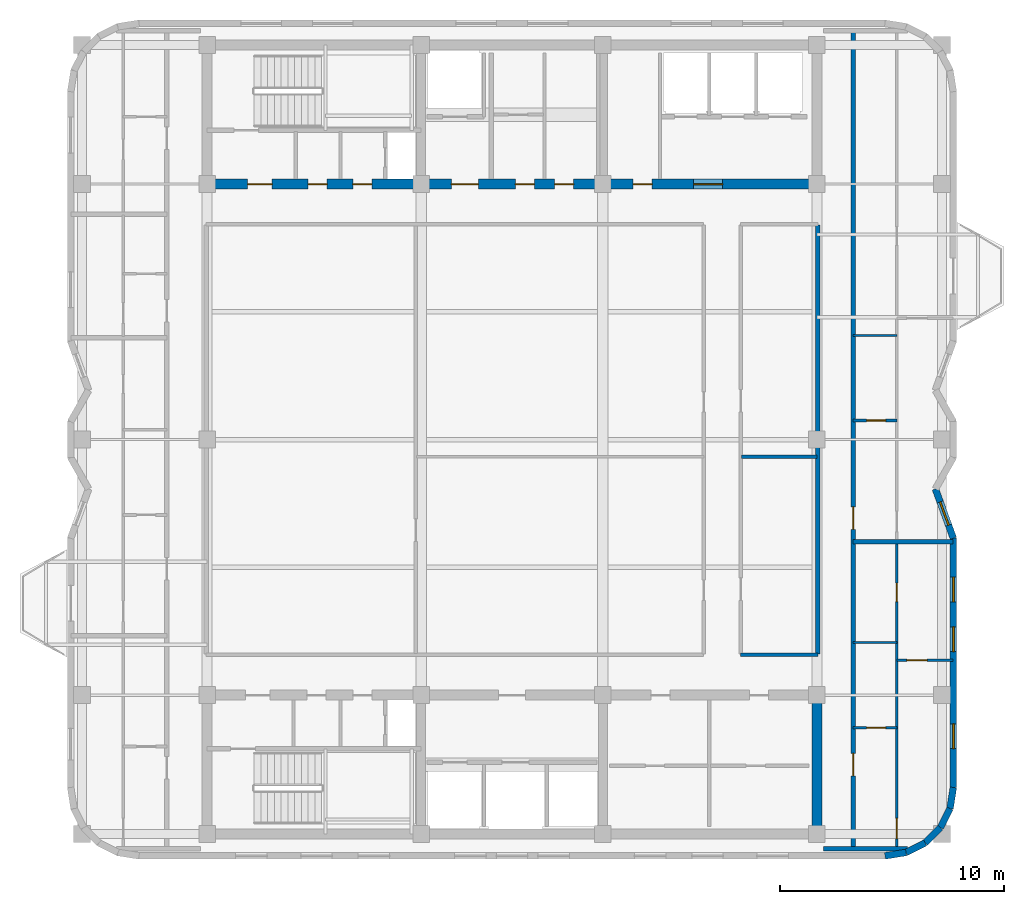
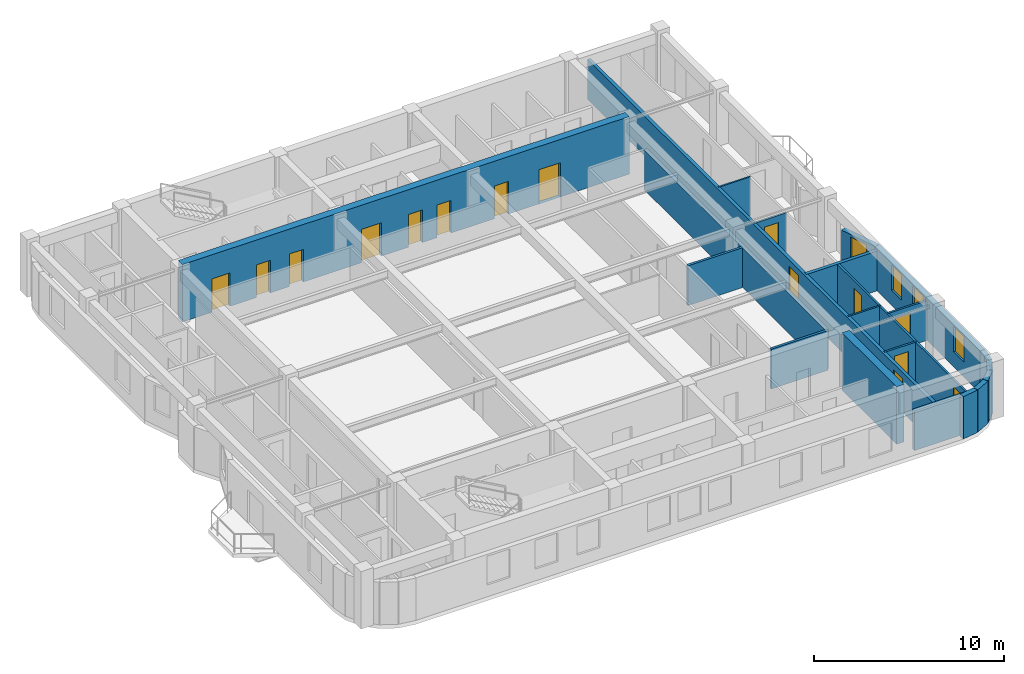
# One storey, part 5 of 9: 21 walls, 15 doors, 4 windows, 19 openings.
"""IFC4 building model written with IfcOpenShell, lengths in metres."""

from ifc_helpers import new_model, si_unit, direction, frame, frame_2d, origin, place, context, subcontext, project, spatial, rectangle, extrude, material, layer, layer_set, type_object, element, fill, save


model = new_model("IFC4")

# Units and contexts
model_context = context("Model", 3, precision=1e-05, world=origin(), true_north=direction((0.0, 1.0)))
body_context = subcontext(model_context, "Body", "Model", "MODEL_VIEW")
ifc_project = project(units=[si_unit("LENGTHUNIT", "METRE"), si_unit("AREAUNIT", "SQUARE_METRE"), si_unit("VOLUMEUNIT", "CUBIC_METRE"), si_unit("PLANEANGLEUNIT", "RADIAN"), si_unit("MASSUNIT", "GRAM", prefix="KILO")], contexts=[model_context])

# Site, building, storey
site_placement = place(None, origin())
site = spatial("IfcSite", under=ifc_project, at=site_placement, CompositionType="ELEMENT")
building_placement = place(site_placement, origin())
building = spatial("IfcBuilding", under=site, at=building_placement, Name="Svetorya Sky Lyceum", CompositionType="ELEMENT")
storey_placement = place(building_placement, frame((0.0, 0.0, 267.60009765625)))
storey = spatial("IfcBuildingStorey", under=building, at=storey_placement, Name="L67", CompositionType="ELEMENT", Elevation=267.60009765625)

# Wall
ifc_material_1 = material(Name="Concrete C50/60", Category="concrete")
ifc_layer_1 = layer(ifc_material_1, 0.449951171875)
ifc_layer_set_1 = layer_set([ifc_layer_1], Name="Concrete C50/60")
wall_type_1 = type_object("IfcWallType", Name="WL-CORE-450", PredefinedType="SHEAR", material=ifc_layer_set_1)
wall_1_placement = place(storey_placement, frame((52.800048828125, 10.824951171875, 0.0), z_axis=(0.0, 0.0, 1.0), x_axis=(0.0, 1.0, 0.0)))
element("IfcWall", 1, at=wall_1_placement, inside=storey, type_object=wall_type_1, Name="L67 SC East Core Shear Wall", PredefinedType="SHEAR", context=body_context, shape_type="SweptSolid", body=[
    extrude(rectangle(XDim=5.75, YDim=0.449951171875, at=frame_2d((2.875, 0.0))), origin(), (0.0, 0.0, 1.0), 3.699951171875),
])

# Wall, openings, doors
wall_2_placement = place(storey_placement, frame((52.800048828125, 39.60009765625, 0.0), z_axis=(0.0, 0.0, 1.0), x_axis=(-1.0, 0.0, 0.0)))
wall_2 = element("IfcWall", 2, at=wall_2_placement, inside=storey, type_object=wall_type_1, Name="L67 NC Inner Core Shear Wall", PredefinedType="SHEAR", context=body_context, shape_type="SweptSolid", body=[
    extrude(rectangle(XDim=27.199951171875, YDim=0.449951171875, at=frame_2d((13.60009765625, 0.0))), origin(), (0.0, 0.0, 1.0), 3.699951171875),
])
opening_1_placement = place(wall_2_placement, frame((24.300048828125, 0.0, 0.0)))
opening_1 = element("IfcOpeningElement", 3, at=opening_1_placement, cuts=wall_2, Name="Opening D-ST1", PredefinedType="OPENING", context=body_context, shape_type="SweptSolid", body=[
    extrude(rectangle(XDim=1.10009765625, YDim=2.14990234375, at=frame_2d((0.550048828125, 1.074951171875))), frame((0.0, 0.23486328125, 0.0), z_axis=(0.0, -1.0, 0.0), x_axis=(1.0, 0.0, 0.0)), (0.0, 0.0, 1.0), 0.469970703125),
])
opening_2_placement = place(wall_2_placement, frame((21.85009765625, 0.0, 0.0)))
opening_2 = element("IfcOpeningElement", 4, at=opening_2_placement, cuts=wall_2, Name="Opening D-CWC1", PredefinedType="OPENING", context=body_context, shape_type="SweptSolid", body=[
    extrude(rectangle(XDim=0.85009765625, YDim=2.10009765625, at=frame_2d((0.425048828125, 1.050048828125))), frame((0.0, 0.23486328125, 0.0), z_axis=(0.0, -1.0, 0.0), x_axis=(1.0, 0.0, 0.0)), (0.0, 0.0, 1.0), 0.469970703125),
])
opening_3_placement = place(wall_2_placement, frame((19.85009765625, 0.0, 0.0)))
opening_3 = element("IfcOpeningElement", 5, at=opening_3_placement, cuts=wall_2, Name="Opening D-CWC1", PredefinedType="OPENING", context=body_context, shape_type="SweptSolid", body=[
    extrude(rectangle(XDim=0.85009765625, YDim=2.10009765625, at=frame_2d((0.425048828125, 1.050048828125))), frame((0.0, 0.23486328125, 0.0), z_axis=(0.0, -1.0, 0.0), x_axis=(1.0, 0.0, 0.0)), (0.0, 0.0, 1.0), 0.469970703125),
])
opening_4_placement = place(wall_2_placement, frame((15.10009765625, 0.0, 0.0)))
opening_4 = element("IfcOpeningElement", 6, at=opening_4_placement, cuts=wall_2, Name="Opening D-FL1", PredefinedType="OPENING", context=body_context, shape_type="SweptSolid", body=[
    extrude(rectangle(XDim=1.199951171875, YDim=2.14990234375, at=frame_2d((0.60009765625, 1.074951171875))), frame((0.0, 0.23486328125, 0.0), z_axis=(0.0, -1.0, 0.0), x_axis=(1.0, 0.0, 0.0)), (0.0, 0.0, 1.0), 0.469970703125),
])
opening_5_placement = place(wall_2_placement, frame((12.60009765625, 0.0, 0.0)))
opening_5 = element("IfcOpeningElement", 7, at=opening_5_placement, cuts=wall_2, Name="Opening D-CWC1", PredefinedType="OPENING", context=body_context, shape_type="SweptSolid", body=[
    extrude(rectangle(XDim=0.85009765625, YDim=2.10009765625, at=frame_2d((0.425048828125, 1.050048828125))), frame((0.0, 0.23486328125, 0.0), z_axis=(0.0, -1.0, 0.0), x_axis=(1.0, 0.0, 0.0)), (0.0, 0.0, 1.0), 0.469970703125),
])
opening_6_placement = place(wall_2_placement, frame((10.85009765625, 0.0, 0.0)))
opening_6 = element("IfcOpeningElement", 8, at=opening_6_placement, cuts=wall_2, Name="Opening D-CWC1", PredefinedType="OPENING", context=body_context, shape_type="SweptSolid", body=[
    extrude(rectangle(XDim=0.85009765625, YDim=2.10009765625, at=frame_2d((0.425048828125, 1.050048828125))), frame((0.0, 0.23486328125, 0.0), z_axis=(0.0, -1.0, 0.0), x_axis=(1.0, 0.0, 0.0)), (0.0, 0.0, 1.0), 0.469970703125),
])
opening_7_placement = place(wall_2_placement, frame((7.35009765625, 0.0, 0.0)))
opening_7 = element("IfcOpeningElement", 9, at=opening_7_placement, cuts=wall_2, Name="Opening D-CWC1", PredefinedType="OPENING", context=body_context, shape_type="SweptSolid", body=[
    extrude(rectangle(XDim=0.85009765625, YDim=2.10009765625, at=frame_2d((0.425048828125, 1.050048828125))), frame((0.0, 0.23486328125, 0.0), z_axis=(0.0, -1.0, 0.0), x_axis=(1.0, 0.0, 0.0)), (0.0, 0.0, 1.0), 0.469970703125),
])
opening_8_placement = place(wall_2_placement, frame((4.199951171875, 0.0, 0.0)))
opening_8 = element("IfcOpeningElement", 10, at=opening_8_placement, cuts=wall_2, Name="Opening D-LB1", PredefinedType="OPENING", context=body_context, shape_type="SweptSolid", body=[
    extrude(rectangle(XDim=1.300048828125, YDim=2.199951171875, at=frame_2d((0.64990234375, 1.10009765625))), frame((0.0, 0.23486328125, 0.0), z_axis=(0.0, -1.0, 0.0), x_axis=(1.0, 0.0, 0.0)), (0.0, 0.0, 1.0), 0.469970703125),
])
ifc_material_2 = material(Name="Fire-rated galvanized steel core service closet door", Category="steel")
door_type_1 = type_object("IfcDoorType", Name="DR-CWET-850", OperationType="SINGLE_SWING_LEFT", PredefinedType="DOOR", material=ifc_material_2)
door_1_placement = place(opening_2_placement, origin())
door_1 = element("IfcDoor", 11, at=door_1_placement, inside=storey, type_object=door_type_1, Name="L67 North Cleaner Door", OperationType="SINGLE_SWING_RIGHT", OverallHeight=2.10009765625, OverallWidth=0.85009765625, PredefinedType="DOOR", context=body_context, shape_type="SweptSolid", body=[
    extrude(rectangle(XDim=0.85009765625, YDim=2.10009765625, at=frame_2d((0.425048828125, 1.050048828125))), frame((0.0, 0.02490234375, 0.0), z_axis=(0.0, -1.0, 0.0), x_axis=(1.0, 0.0, 0.0)), (0.0, 0.0, 1.0), 0.050048828125),
])
fill(opening_2, door_1)
door_2_placement = place(opening_3_placement, origin())
door_2 = element("IfcDoor", 12, at=door_2_placement, inside=storey, type_object=door_type_1, Name="L67 North Meter Door", OperationType="SINGLE_SWING_LEFT", OverallHeight=2.10009765625, OverallWidth=0.85009765625, PredefinedType="DOOR", context=body_context, shape_type="SweptSolid", body=[
    extrude(rectangle(XDim=0.85009765625, YDim=2.10009765625, at=frame_2d((0.425048828125, 1.050048828125))), frame((0.0, 0.02490234375, 0.0), z_axis=(0.0, -1.0, 0.0), x_axis=(1.0, 0.0, 0.0)), (0.0, 0.0, 1.0), 0.050048828125),
])
fill(opening_3, door_2)
door_3_placement = place(opening_5_placement, origin())
door_3 = element("IfcDoor", 13, at=door_3_placement, inside=storey, type_object=door_type_1, Name="L67 Cleaner Vestibule Door", OperationType="SINGLE_SWING_LEFT", OverallHeight=2.10009765625, OverallWidth=0.85009765625, PredefinedType="DOOR", context=body_context, shape_type="SweptSolid", body=[
    extrude(rectangle(XDim=0.85009765625, YDim=2.10009765625, at=frame_2d((0.425048828125, 1.050048828125))), frame((0.0, 0.02490234375, 0.0), z_axis=(0.0, -1.0, 0.0), x_axis=(1.0, 0.0, 0.0)), (0.0, 0.0, 1.0), 0.050048828125),
])
fill(opening_5, door_3)
door_4_placement = place(opening_6_placement, origin())
door_4 = element("IfcDoor", 14, at=door_4_placement, inside=storey, type_object=door_type_1, Name="L67 Upper Pram Store Door", OperationType="SINGLE_SWING_RIGHT", OverallHeight=2.10009765625, OverallWidth=0.85009765625, PredefinedType="DOOR", context=body_context, shape_type="SweptSolid", body=[
    extrude(rectangle(XDim=0.85009765625, YDim=2.10009765625, at=frame_2d((0.425048828125, 1.050048828125))), frame((0.0, 0.02490234375, 0.0), z_axis=(0.0, -1.0, 0.0), x_axis=(1.0, 0.0, 0.0)), (0.0, 0.0, 1.0), 0.050048828125),
])
fill(opening_6, door_4)
door_5_placement = place(opening_7_placement, origin())
door_5 = element("IfcDoor", 15, at=door_5_placement, inside=storey, type_object=door_type_1, Name="L67 High-Zone Utility Room Door", OperationType="SINGLE_SWING_LEFT", OverallHeight=2.10009765625, OverallWidth=0.85009765625, PredefinedType="DOOR", context=body_context, shape_type="SweptSolid", body=[
    extrude(rectangle(XDim=0.85009765625, YDim=2.10009765625, at=frame_2d((0.425048828125, 1.050048828125))), frame((0.0, 0.02490234375, 0.0), z_axis=(0.0, -1.0, 0.0), x_axis=(1.0, 0.0, 0.0)), (0.0, 0.0, 1.0), 0.050048828125),
])
fill(opening_7, door_5)
ifc_material_3 = material(Name="Powder-coated insulated galvanized stair fire door")
door_type_2 = type_object("IfcDoorType", Name="DR-FIRE-1100", OperationType="SINGLE_SWING_LEFT", PredefinedType="DOOR", material=ifc_material_3)
door_6_placement = place(opening_1_placement, origin())
door_6 = element("IfcDoor", 16, at=door_6_placement, inside=storey, type_object=door_type_2, Name="L67 North Stair Airlock Door", OperationType="SINGLE_SWING_LEFT", OverallHeight=2.14990234375, OverallWidth=1.10009765625, PredefinedType="DOOR", context=body_context, shape_type="SweptSolid", body=[
    extrude(rectangle(XDim=1.10009765625, YDim=2.14990234375, at=frame_2d((0.550048828125, 1.074951171875))), frame((0.0, 0.02490234375, 0.0), z_axis=(0.0, -1.0, 0.0), x_axis=(1.0, 0.0, 0.0)), (0.0, 0.0, 1.0), 0.050048828125),
])
fill(opening_1, door_6)
ifc_material_4 = material(Name="Powder-coated insulated galvanized fire door")
door_type_3 = type_object("IfcDoorType", Name="DR-FIRE-1200", OperationType="SINGLE_SWING_LEFT", PredefinedType="DOOR", material=ifc_material_4)
door_7_placement = place(opening_4_placement, origin())
door_7 = element("IfcDoor", 17, at=door_7_placement, inside=storey, type_object=door_type_3, Name="L67 North Firefighting Lift Lobby Door", OperationType="SINGLE_SWING_RIGHT", OverallHeight=2.14990234375, OverallWidth=1.199951171875, PredefinedType="DOOR", context=body_context, shape_type="SweptSolid", body=[
    extrude(rectangle(XDim=1.199951171875, YDim=2.14990234375, at=frame_2d((0.60009765625, 1.074951171875))), frame((0.0, 0.02490234375, 0.0), z_axis=(0.0, -1.0, 0.0), x_axis=(1.0, 0.0, 0.0)), (0.0, 0.0, 1.0), 0.050048828125),
])
fill(opening_4, door_7)
ifc_material_5 = material(Name="Glazed fire-rated aluminium lobby door", Category="aluminium")
door_type_4 = type_object("IfcDoorType", Name="DR-LOB-1300", OperationType="SINGLE_SWING_LEFT", PredefinedType="DOOR", material=ifc_material_5)
door_8_placement = place(opening_8_placement, origin())
door_8 = element("IfcDoor", 18, at=door_8_placement, inside=storey, type_object=door_type_4, Name="L67 North Passenger Lift Lobby Door", OperationType="SINGLE_SWING_LEFT", OverallHeight=2.199951171875, OverallWidth=1.300048828125, PredefinedType="DOOR", context=body_context, shape_type="SweptSolid", body=[
    extrude(rectangle(XDim=1.300048828125, YDim=2.199951171875, at=frame_2d((0.64990234375, 1.10009765625))), frame((0.0, 0.02490234375, 0.0), z_axis=(0.0, -1.0, 0.0), x_axis=(1.0, 0.0, 0.0)), (0.0, 0.0, 1.0), 0.050048828125),
])
fill(opening_8, door_8)

# Walls
ifc_material_6 = material(Name="Putilovo limestone rainscreen on autoclaved cellular masonry", Category="masonry")
ifc_layer_2 = layer(ifc_material_6, 0.300048828125)
ifc_layer_set_2 = layer_set([ifc_layer_2], Name="Putilovo limestone rainscreen on autoclaved cellular masonry")
wall_type_2 = type_object("IfcWallType", Name="WL-EXT-300", PredefinedType="SOLIDWALL", material=ifc_layer_set_2)
wall_3_placement = place(storey_placement, frame((55.840087890625, 9.6298828125, 0.0), z_axis=(0.0, 0.0, 1.0), x_axis=(0.987663181641, 0.156593229835, 0.0)))
element("IfcWall", 19, at=wall_3_placement, inside=storey, type_object=wall_type_2, Name="L67 Limestone Exterior Wall 7M", PredefinedType="SOLIDWALL", context=body_context, shape_type="SweptSolid", body=[
    extrude(rectangle(XDim=0.9541015625, YDim=0.300048828125, at=frame_2d((0.47705078125, 0.0))), origin(), (0.0, 0.0, 1.0), 2.72998046875),
])
for number, where, z_axis, x_axis, name in (
    (20, (56.782470703125, 9.779296875, 0.0), (0.0, 0.0, 1.0), (0.891076589373, 0.453852962833, 0.0), "L67 Limestone Exterior Wall 8M"),
    (21, (57.6328125, 10.21240234375, 0.0), (0.0, 0.0, 1.0), (0.707106781187, 0.707106781187, 0.0), "L67 Limestone Exterior Wall 9M"),
    (22, (58.3076171875, 10.88720703125, 0.0), (0.0, 0.0, 1.0), (0.453852962833, 0.891076589373, 0.0), "L67 Limestone Exterior Wall 10M"),
):
    element("IfcWall", number, at=place(storey_placement, frame(where, z_axis=z_axis, x_axis=x_axis)), inside=storey, type_object=wall_type_2, Name=name, PredefinedType="SOLIDWALL", context=body_context, shape_type="SweptSolid", body=[
        extrude(rectangle(XDim=0.954345703125, YDim=0.300048828125, at=frame_2d((0.47705078125, 0.0))), origin(), (0.0, 0.0, 1.0), 2.72998046875),
    ])
wall_4_placement = place(storey_placement, frame((58.74072265625, 11.737548828125, 0.0), z_axis=(0.0, 0.0, 1.0), x_axis=(0.156343617883, 0.987702725088, 0.0)))
element("IfcWall", 23, at=wall_4_placement, inside=storey, type_object=wall_type_2, Name="L67 Limestone Exterior Wall 11M", PredefinedType="SOLIDWALL", context=body_context, shape_type="SweptSolid", body=[
    extrude(rectangle(XDim=0.9541015625, YDim=0.300048828125, at=frame_2d((0.47705078125, 0.0))), origin(), (0.0, 0.0, 1.0), 2.72998046875),
])

# Wall, openings, windows
wall_5_placement = place(storey_placement, frame((58.889892578125, 12.679931640625, 0.0), z_axis=(0.0, 0.0, 1.0), x_axis=(0.0, 1.0, 0.0)))
wall_5 = element("IfcWall", 24, at=wall_5_placement, inside=storey, type_object=wall_type_2, Name="L67 Limestone Exterior Wall 12M", PredefinedType="SOLIDWALL", context=body_context, shape_type="SweptSolid", body=[
    extrude(rectangle(XDim=11.1201171875, YDim=0.300048828125, at=frame_2d((5.56005859375, 0.0))), origin(), (0.0, 0.0, 1.0), 2.72998046875),
])
opening_9_placement = place(wall_5_placement, frame((1.73681640625, 0.0, 0.949951171875)))
opening_9 = element("IfcOpeningElement", 25, at=opening_9_placement, cuts=wall_5, Name="Opening W-R3", PredefinedType="OPENING", context=body_context, shape_type="SweptSolid", body=[
    extrude(rectangle(XDim=1.10009765625, YDim=1.64990234375, at=frame_2d((0.550048828125, 0.824951171875))), frame((0.0, 0.159912109375, 0.0), z_axis=(0.0, -1.0, 0.0), x_axis=(1.0, 0.0, 0.0)), (0.0, 0.0, 1.0), 0.320068359375),
])
opening_10_placement = place(wall_5_placement, frame((6.06005859375, 0.0, 0.949951171875)))
opening_10 = element("IfcOpeningElement", 26, at=opening_10_placement, cuts=wall_5, Name="Opening W-R3", PredefinedType="OPENING", context=body_context, shape_type="SweptSolid", body=[
    extrude(rectangle(XDim=1.10009765625, YDim=1.64990234375, at=frame_2d((0.550048828125, 0.824951171875))), frame((0.0, 0.159912109375, 0.0), z_axis=(0.0, -1.0, 0.0), x_axis=(1.0, 0.0, 0.0)), (0.0, 0.0, 1.0), 0.320068359375),
])
opening_11_placement = place(wall_5_placement, frame((8.283203125, 0.0, 0.949951171875)))
opening_11 = element("IfcOpeningElement", 27, at=opening_11_placement, cuts=wall_5, Name="Opening W-R3", PredefinedType="OPENING", context=body_context, shape_type="SweptSolid", body=[
    extrude(rectangle(XDim=1.10009765625, YDim=1.64990234375, at=frame_2d((0.550048828125, 0.824951171875))), frame((0.0, 0.159912109375, 0.0), z_axis=(0.0, -1.0, 0.0), x_axis=(1.0, 0.0, 0.0)), (0.0, 0.0, 1.0), 0.320068359375),
])
ifc_material_7 = material(Name="Thermally broken aluminium frame with triple low-E glazing", Category="aluminium")
window_type = type_object("IfcWindowType", Name="WN-RES-110", PartitioningType="SINGLE_PANEL", PredefinedType="WINDOW", material=ifc_material_7)
window_1_placement = place(opening_9_placement, origin())
window_1 = element("IfcWindow", 28, at=window_1_placement, inside=storey, type_object=window_type, Name="L67 Facade Window W-R3.12M.1", OverallHeight=1.64990234375, OverallWidth=1.10009765625, PartitioningType="SINGLE_PANEL", PredefinedType="WINDOW", context=body_context, shape_type="SweptSolid", body=[
    extrude(rectangle(XDim=1.10009765625, YDim=1.64990234375, at=frame_2d((0.550048828125, 0.824951171875))), frame((0.0, 0.030029296875, 0.0), z_axis=(0.0, -1.0, 0.0), x_axis=(1.0, 0.0, 0.0)), (0.0, 0.0, 1.0), 0.06005859375),
])
fill(opening_9, window_1)
window_2_placement = place(opening_10_placement, origin())
window_2 = element("IfcWindow", 29, at=window_2_placement, inside=storey, type_object=window_type, Name="L67 Facade Window W-R3.12M.2", OverallHeight=1.64990234375, OverallWidth=1.10009765625, PartitioningType="SINGLE_PANEL", PredefinedType="WINDOW", context=body_context, shape_type="SweptSolid", body=[
    extrude(rectangle(XDim=1.10009765625, YDim=1.64990234375, at=frame_2d((0.550048828125, 0.824951171875))), frame((0.0, 0.030029296875, 0.0), z_axis=(0.0, -1.0, 0.0), x_axis=(1.0, 0.0, 0.0)), (0.0, 0.0, 1.0), 0.06005859375),
])
fill(opening_10, window_2)
window_3_placement = place(opening_11_placement, origin())
window_3 = element("IfcWindow", 30, at=window_3_placement, inside=storey, type_object=window_type, Name="L67 Facade Window W-R3.12M.3", OverallHeight=1.64990234375, OverallWidth=1.10009765625, PartitioningType="SINGLE_PANEL", PredefinedType="WINDOW", context=body_context, shape_type="SweptSolid", body=[
    extrude(rectangle(XDim=1.10009765625, YDim=1.64990234375, at=frame_2d((0.550048828125, 0.824951171875))), frame((0.0, 0.030029296875, 0.0), z_axis=(0.0, -1.0, 0.0), x_axis=(1.0, 0.0, 0.0)), (0.0, 0.0, 1.0), 0.06005859375),
])
fill(opening_11, window_3)

# Wall, opening, window
wall_6_placement = place(storey_placement, frame((58.889892578125, 23.800048828125, 0.0), z_axis=(0.0, 0.0, 1.0), x_axis=(-0.341676068702, 0.939817782379, 0.0)))
wall_6 = element("IfcWall", 31, at=wall_6_placement, inside=storey, type_object=wall_type_2, Name="L67 Limestone Exterior Wall 13M", PredefinedType="SOLIDWALL", context=body_context, shape_type="SweptSolid", body=[
    extrude(rectangle(XDim=2.3408203125, YDim=0.300048828125, at=frame_2d((1.17041015625, 0.0))), origin(), (0.0, 0.0, 1.0), 2.72998046875),
])
opening_12_placement = place(wall_6_placement, frame((0.62060546875, 0.0, 0.919921875)))
opening_12 = element("IfcOpeningElement", 32, at=opening_12_placement, cuts=wall_6, Name="Opening W-R3", PredefinedType="OPENING", context=body_context, shape_type="SweptSolid", body=[
    extrude(rectangle(XDim=1.10009765625, YDim=1.64990234375, at=frame_2d((0.550048828125, 0.824951171875))), frame((0.0, 0.159912109375, 0.0), z_axis=(0.0, -1.0, 0.0), x_axis=(1.0, 0.0, 0.0)), (0.0, 0.0, 1.0), 0.320068359375),
])
window_4_placement = place(opening_12_placement, origin())
window_4 = element("IfcWindow", 33, at=window_4_placement, inside=storey, type_object=window_type, Name="L67 Facade Window W-R3.13M.1", OverallHeight=1.64990234375, OverallWidth=1.10009765625, PartitioningType="SINGLE_PANEL", PredefinedType="WINDOW", context=body_context, shape_type="SweptSolid", body=[
    extrude(rectangle(XDim=1.10009765625, YDim=1.64990234375, at=frame_2d((0.550048828125, 0.824951171875))), frame((0.0, 0.030029296875, 0.0), z_axis=(0.0, -1.0, 0.0), x_axis=(1.0, 0.0, 0.0)), (0.0, 0.0, 1.0), 0.06005859375),
])
fill(opening_12, window_4)

# Walls
ifc_material_8 = material(Name="Galvanized stud partition with moisture-resistant board", Category="gypsum")
ifc_layer_3 = layer(ifc_material_8, 0.10009765625)
ifc_layer_set_3 = layer_set([ifc_layer_3], Name="Galvanized stud partition with moisture-resistant board")
wall_type_3 = type_object("IfcWallType", Name="WL-PART-100", PredefinedType="PARTITIONING", material=ifc_layer_set_3)
for number, where, z_axis, x_axis, name in (
    (34, (54.419921875, 19.14990234375, 0.0), (0.0, 0.0, 1.0), (1.0, 0.0, 0.0), "L67 Interior Partition E1-WH2"),
    (35, (54.419921875, 32.85009765625, 0.0), (0.0, 0.0, 1.0), (1.0, 0.0, 0.0), "L67 Interior Partition E2-WH2"),
):
    element("IfcWall", number, at=place(storey_placement, frame(where, z_axis=z_axis, x_axis=x_axis)), inside=storey, type_object=wall_type_3, Name=name, PredefinedType="PARTITIONING", context=body_context, shape_type="SweptSolid", body=[
        extrude(rectangle(XDim=1.9501953125, YDim=0.10009765625, at=frame_2d((0.97509765625, 0.0))), origin(), (0.0, 0.0, 1.0), 2.559814453125),
    ])

# Wall, opening, door
ifc_material_9 = material(Name="Twin-stud galvanized framing with double fireboard", Category="gypsum")
ifc_layer_4 = layer(ifc_material_9, 0.1201171875)
ifc_layer_set_4 = layer_set([ifc_layer_4], Name="Twin-stud galvanized framing with double fireboard")
wall_type_4 = type_object("IfcWallType", Name="WL-PART-120", PredefinedType="PARTITIONING", material=ifc_layer_set_4)
wall_7_placement = place(storey_placement, frame((54.419921875, 15.35009765625, 0.0), z_axis=(0.0, 0.0, 1.0), x_axis=(1.0, 0.0, 0.0)))
wall_7 = element("IfcWall", 36, at=wall_7_placement, inside=storey, type_object=wall_type_4, Name="L67 Interior Partition E1-WH1", PredefinedType="PARTITIONING", context=body_context, shape_type="SweptSolid", body=[
    extrude(rectangle(XDim=1.9501953125, YDim=0.1201171875, at=frame_2d((0.97509765625, 0.0))), origin(), (0.0, 0.0, 1.0), 2.559814453125),
])
opening_13_placement = place(wall_7_placement, frame((0.60009765625, 0.0, 0.0)))
opening_13 = element("IfcOpeningElement", 37, at=opening_13_placement, cuts=wall_7, Name="Opening D-BT1", PredefinedType="OPENING", context=body_context, shape_type="SweptSolid", body=[
    extrude(rectangle(XDim=0.85009765625, YDim=2.10009765625, at=frame_2d((0.425048828125, 1.050048828125))), frame((0.0, 0.070068359375, 0.0), z_axis=(0.0, -1.0, 0.0), x_axis=(1.0, 0.0, 0.0)), (0.0, 0.0, 1.0), 0.14013671875),
])
ifc_material_10 = material(Name="Moisture-resistant laminate bathroom door")
door_type_5 = type_object("IfcDoorType", Name="DR-WET-850", OperationType="SINGLE_SWING_LEFT", PredefinedType="DOOR", material=ifc_material_10)
door_9_placement = place(opening_13_placement, origin())
door_9 = element("IfcDoor", 38, at=door_9_placement, inside=storey, type_object=door_type_5, Name="Apartment E1 Bathroom Door", OperationType="SINGLE_SWING_RIGHT", OverallHeight=2.10009765625, OverallWidth=0.85009765625, PredefinedType="DOOR", context=body_context, shape_type="SweptSolid", body=[
    extrude(rectangle(XDim=0.85009765625, YDim=2.10009765625, at=frame_2d((0.425048828125, 1.050048828125))), frame((0.0, 0.02490234375, 0.0), z_axis=(0.0, -1.0, 0.0), x_axis=(1.0, 0.0, 0.0)), (0.0, 0.0, 1.0), 0.050048828125),
])
fill(opening_13, door_9)

wall_8_placement = place(storey_placement, frame((56.3701171875, 18.35009765625, 0.0), z_axis=(0.0, 0.0, 1.0), x_axis=(1.0, 0.0, 0.0)))
wall_8 = element("IfcWall", 39, at=wall_8_placement, inside=storey, type_object=wall_type_4, Name="L67 Interior Partition E1-WL1", PredefinedType="PARTITIONING", context=body_context, shape_type="SweptSolid", body=[
    extrude(rectangle(XDim=2.5, YDim=0.1201171875, at=frame_2d((1.25, 0.0))), origin(), (0.0, 0.0, 1.0), 2.559814453125),
])
opening_14_placement = place(wall_8_placement, frame((0.449951171875, 0.0, 0.0)))
opening_14 = element("IfcOpeningElement", 40, at=opening_14_placement, cuts=wall_8, Name="Opening D-RM1", PredefinedType="OPENING", context=body_context, shape_type="SweptSolid", body=[
    extrude(rectangle(XDim=0.89990234375, YDim=2.10009765625, at=frame_2d((0.449951171875, 1.050048828125))), frame((0.0, 0.070068359375, 0.0), z_axis=(0.0, -1.0, 0.0), x_axis=(1.0, 0.0, 0.0)), (0.0, 0.0, 1.0), 0.14013671875),
])
ifc_material_11 = material(Name="Lacquered birch veneer internal door")
door_type_6 = type_object("IfcDoorType", Name="DR-INT-900", OperationType="SINGLE_SWING_LEFT", PredefinedType="DOOR", material=ifc_material_11)
door_10_placement = place(opening_14_placement, origin())
door_10 = element("IfcDoor", 41, at=door_10_placement, inside=storey, type_object=door_type_6, Name="Apartment E1 Bedroom 1 Door", OperationType="SINGLE_SWING_RIGHT", OverallHeight=2.10009765625, OverallWidth=0.89990234375, PredefinedType="DOOR", context=body_context, shape_type="SweptSolid", body=[
    extrude(rectangle(XDim=0.89990234375, YDim=2.10009765625, at=frame_2d((0.449951171875, 1.050048828125))), frame((0.0, 0.02490234375, 0.0), z_axis=(0.0, -1.0, 0.0), x_axis=(1.0, 0.0, 0.0)), (0.0, 0.0, 1.0), 0.050048828125),
])
fill(opening_14, door_10)

# Wall, openings, doors
wall_9_placement = place(storey_placement, frame((56.3701171875, 9.989990234375, 0.0), z_axis=(0.0, 0.0, 1.0), x_axis=(0.0, 1.0, 0.0)))
wall_9 = element("IfcWall", 42, at=wall_9_placement, inside=storey, type_object=wall_type_4, Name="L67 Interior Partition E1-WV", PredefinedType="PARTITIONING", context=body_context, shape_type="SweptSolid", body=[
    extrude(rectangle(XDim=13.6201171875, YDim=0.1201171875, at=frame_2d((6.81005859375, 0.0))), origin(), (0.0, 0.0, 1.0), 2.559814453125),
])
opening_15_placement = place(wall_9_placement, frame((0.409912109375, 0.0, 0.0)))
opening_15 = element("IfcOpeningElement", 43, at=opening_15_placement, cuts=wall_9, Name="Opening D-RM1", PredefinedType="OPENING", context=body_context, shape_type="SweptSolid", body=[
    extrude(rectangle(XDim=0.89990234375, YDim=2.10009765625, at=frame_2d((0.449951171875, 1.050048828125))), frame((0.0, 0.070068359375, 0.0), z_axis=(0.0, -1.0, 0.0), x_axis=(1.0, 0.0, 0.0)), (0.0, 0.0, 1.0), 0.14013671875),
])
opening_16_placement = place(wall_9_placement, frame((10.985107421875, 0.0, 0.0)))
opening_16 = element("IfcOpeningElement", 44, at=opening_16_placement, cuts=wall_9, Name="Opening D-BT2", PredefinedType="OPENING", context=body_context, shape_type="SweptSolid", body=[
    extrude(rectangle(XDim=0.820068359375, YDim=2.080078125, at=frame_2d((0.41015625, 1.0400390625))), frame((0.0, 0.070068359375, 0.0), z_axis=(0.0, -1.0, 0.0), x_axis=(1.0, 0.0, 0.0)), (0.0, 0.0, 1.0), 0.14013671875),
])
door_11_placement = place(opening_15_placement, origin())
door_11 = element("IfcDoor", 45, at=door_11_placement, inside=storey, type_object=door_type_6, Name="Apartment E1 Living Door", OperationType="SINGLE_SWING_LEFT", OverallHeight=2.10009765625, OverallWidth=0.89990234375, PredefinedType="DOOR", context=body_context, shape_type="SweptSolid", body=[
    extrude(rectangle(XDim=0.89990234375, YDim=2.10009765625, at=frame_2d((0.449951171875, 1.050048828125))), frame((0.0, 0.02490234375, 0.0), z_axis=(0.0, -1.0, 0.0), x_axis=(1.0, 0.0, 0.0)), (0.0, 0.0, 1.0), 0.050048828125),
])
fill(opening_15, door_11)
ifc_material_12 = material(Name="Compact moisture-resistant laminate closet door")
door_type_7 = type_object("IfcDoorType", Name="DR-WET-820", OperationType="SINGLE_SWING_LEFT", PredefinedType="DOOR", material=ifc_material_12)
door_12_placement = place(opening_16_placement, origin())
door_12 = element("IfcDoor", 46, at=door_12_placement, inside=storey, type_object=door_type_7, Name="Apartment E1 Study Door", OperationType="SINGLE_SWING_RIGHT", OverallHeight=2.080078125, OverallWidth=0.820068359375, PredefinedType="DOOR", context=body_context, shape_type="SweptSolid", body=[
    extrude(rectangle(XDim=0.820068359375, YDim=2.080078125, at=frame_2d((0.41015625, 1.0400390625))), frame((0.0, 0.02490234375, 0.0), z_axis=(0.0, -1.0, 0.0), x_axis=(1.0, 0.0, 0.0)), (0.0, 0.0, 1.0), 0.050048828125),
])
fill(opening_16, door_12)

# Wall, opening, door
wall_10_placement = place(storey_placement, frame((54.419921875, 29.050048828125, 0.0), z_axis=(0.0, 0.0, 1.0), x_axis=(1.0, 0.0, 0.0)))
wall_10 = element("IfcWall", 47, at=wall_10_placement, inside=storey, type_object=wall_type_4, Name="L67 Interior Partition E2-WH1", PredefinedType="PARTITIONING", context=body_context, shape_type="SweptSolid", body=[
    extrude(rectangle(XDim=1.9501953125, YDim=0.1201171875, at=frame_2d((0.97509765625, 0.0))), origin(), (0.0, 0.0, 1.0), 2.559814453125),
])
opening_17_placement = place(wall_10_placement, frame((0.60009765625, 0.0, 0.0)))
opening_17 = element("IfcOpeningElement", 48, at=opening_17_placement, cuts=wall_10, Name="Opening D-BT1", PredefinedType="OPENING", context=body_context, shape_type="SweptSolid", body=[
    extrude(rectangle(XDim=0.85009765625, YDim=2.10009765625, at=frame_2d((0.425048828125, 1.050048828125))), frame((0.0, 0.070068359375, 0.0), z_axis=(0.0, -1.0, 0.0), x_axis=(1.0, 0.0, 0.0)), (0.0, 0.0, 1.0), 0.14013671875),
])
door_13_placement = place(opening_17_placement, origin())
door_13 = element("IfcDoor", 49, at=door_13_placement, inside=storey, type_object=door_type_5, Name="Apartment E2 Bathroom Door", OperationType="SINGLE_SWING_LEFT", OverallHeight=2.10009765625, OverallWidth=0.85009765625, PredefinedType="DOOR", context=body_context, shape_type="SweptSolid", body=[
    extrude(rectangle(XDim=0.85009765625, YDim=2.10009765625, at=frame_2d((0.425048828125, 1.050048828125))), frame((0.0, 0.02490234375, 0.0), z_axis=(0.0, -1.0, 0.0), x_axis=(1.0, 0.0, 0.0)), (0.0, 0.0, 1.0), 0.050048828125),
])
fill(opening_17, door_13)

# Walls
ifc_material_13 = material(Name="Autoclaved cellular masonry blockwork with acoustic render", Category="masonry")
ifc_layer_5 = layer(ifc_material_13, 0.14990234375)
ifc_layer_set_5 = layer_set([ifc_layer_5], Name="Autoclaved cellular masonry blockwork with acoustic render")
wall_type_5 = type_object("IfcWallType", Name="WL-PART-150", PredefinedType="PARTITIONING", material=ifc_layer_set_5)
wall_11_placement = place(storey_placement, frame((49.39990234375, 18.60009765625, 0.0), z_axis=(0.0, 0.0, 1.0), x_axis=(1.0, 0.0, 0.0)))
element("IfcWall", 50, at=wall_11_placement, inside=storey, type_object=wall_type_5, Name="L67 Interior Partition OFF-CS-E", PredefinedType="PARTITIONING", context=body_context, shape_type="SweptSolid", body=[
    extrude(rectangle(XDim=3.4501953125, YDim=0.14990234375, at=frame_2d((1.72509765625, 0.0))), origin(), (0.0, 0.0, 1.0), 2.559814453125),
])
wall_12_placement = place(storey_placement, frame((49.429931640625, 27.434326171875, 0.0), z_axis=(0.0, 0.0, 1.0), x_axis=(1.0, 0.0, 0.0)))
element("IfcWall", 51, at=wall_12_placement, inside=storey, type_object=wall_type_5, Name="L67 Interior Partition OFF-HE", PredefinedType="PARTITIONING", context=body_context, shape_type="SweptSolid", body=[
    extrude(rectangle(XDim=3.3701171875, YDim=0.14990234375, at=frame_2d((1.68505859375, 0.0))), origin(), (0.0, 0.0, 1.0), 2.559814453125),
])
ifc_material_14 = material(Name="Autoclaved cellular masonry blockwork with gypsum plaster", Category="masonry")
ifc_layer_6 = layer(ifc_material_14, 0.199951171875)
ifc_layer_set_6 = layer_set([ifc_layer_6], Name="Autoclaved cellular masonry blockwork with gypsum plaster")
wall_type_6 = type_object("IfcWallType", Name="WL-PART-200", PredefinedType="PARTITIONING", material=ifc_layer_set_6)
wall_13_placement = place(storey_placement, frame((52.85009765625, 18.6298828125, 0.0), z_axis=(0.0, 0.0, 1.0), x_axis=(0.0, 1.0, 0.0)))
element("IfcWall", 52, at=wall_13_placement, inside=storey, type_object=wall_type_6, Name="L67 Interior Partition E-CEN-SEP", PredefinedType="PARTITIONING", context=body_context, shape_type="SweptSolid", body=[
    extrude(rectangle(XDim=19.14013671875, YDim=0.199951171875, at=frame_2d((9.570068359375, 0.0))), origin(), (0.0, 0.0, 1.0), 2.559814453125),
])
wall_14_placement = place(storey_placement, frame((54.419921875, 23.64990234375, 0.0), z_axis=(0.0, 0.0, 1.0), x_axis=(1.0, 0.0, 0.0)))
element("IfcWall", 53, at=wall_14_placement, inside=storey, type_object=wall_type_6, Name="L67 Interior Partition E-PARTY-1", PredefinedType="PARTITIONING", context=body_context, shape_type="SweptSolid", body=[
    extrude(rectangle(XDim=4.4501953125, YDim=0.199951171875, at=frame_2d((2.22509765625, 0.0))), origin(), (0.0, 0.0, 1.0), 2.559814453125),
])

# Wall, openings, doors
wall_15_placement = place(storey_placement, frame((54.419921875, 9.949951171875, 0.0), z_axis=(0.0, 0.0, 1.0), x_axis=(0.0, 1.0, 0.0)))
wall_15 = element("IfcWall", 54, at=wall_15_placement, inside=storey, type_object=wall_type_6, Name="L67 Interior Partition E-CORRW", PredefinedType="PARTITIONING", context=body_context, shape_type="SweptSolid", body=[
    extrude(rectangle(XDim=36.5, YDim=0.199951171875, at=frame_2d((18.25, 0.0))), origin(), (0.0, 0.0, 1.0), 2.559814453125),
])
opening_18_placement = place(wall_15_placement, frame((3.25, 0.0, 0.0)))
opening_18 = element("IfcOpeningElement", 55, at=opening_18_placement, cuts=wall_15, Name="Opening D-APT1", PredefinedType="OPENING", context=body_context, shape_type="SweptSolid", body=[
    extrude(rectangle(XDim=1.0, YDim=2.14990234375, at=frame_2d((0.5, 1.074951171875))), frame((0.0, 0.10986328125, 0.0), z_axis=(0.0, -1.0, 0.0), x_axis=(1.0, 0.0, 0.0)), (0.0, 0.0, 1.0), 0.219970703125),
])
opening_19_placement = place(wall_15_placement, frame((14.25, 0.0, 0.0)))
opening_19 = element("IfcOpeningElement", 56, at=opening_19_placement, cuts=wall_15, Name="Opening D-APT1", PredefinedType="OPENING", context=body_context, shape_type="SweptSolid", body=[
    extrude(rectangle(XDim=1.0, YDim=2.14990234375, at=frame_2d((0.5, 1.074951171875))), frame((0.0, 0.10986328125, 0.0), z_axis=(0.0, -1.0, 0.0), x_axis=(1.0, 0.0, 0.0)), (0.0, 0.0, 1.0), 0.219970703125),
])
ifc_material_15 = material(Name="Insulated oak-veneered apartment entrance door")
door_type_8 = type_object("IfcDoorType", Name="DR-APT-1000", OperationType="SINGLE_SWING_LEFT", PredefinedType="DOOR", material=ifc_material_15)
door_14_placement = place(opening_18_placement, origin())
door_14 = element("IfcDoor", 57, at=door_14_placement, inside=storey, type_object=door_type_8, Name="L67 Apartment E1 Entrance Door", OperationType="SINGLE_SWING_RIGHT", OverallHeight=2.14990234375, OverallWidth=1.0, PredefinedType="DOOR", context=body_context, shape_type="SweptSolid", body=[
    extrude(rectangle(XDim=1.0, YDim=2.14990234375, at=frame_2d((0.5, 1.074951171875))), frame((0.0, 0.02490234375, 0.0), z_axis=(0.0, -1.0, 0.0), x_axis=(1.0, 0.0, 0.0)), (0.0, 0.0, 1.0), 0.050048828125),
])
fill(opening_18, door_14)
door_15_placement = place(opening_19_placement, origin())
door_15 = element("IfcDoor", 58, at=door_15_placement, inside=storey, type_object=door_type_8, Name="L67 Apartment E2 Entrance Door", OperationType="SINGLE_SWING_LEFT", OverallHeight=2.14990234375, OverallWidth=1.0, PredefinedType="DOOR", context=body_context, shape_type="SweptSolid", body=[
    extrude(rectangle(XDim=1.0, YDim=2.14990234375, at=frame_2d((0.5, 1.074951171875))), frame((0.0, 0.02490234375, 0.0), z_axis=(0.0, -1.0, 0.0), x_axis=(1.0, 0.0, 0.0)), (0.0, 0.0, 1.0), 0.050048828125),
])
fill(opening_19, door_15)

# Wall
wall_16_placement = place(storey_placement, frame((53.10009765625, 9.949951171875, 0.0), z_axis=(0.0, 0.0, 1.0), x_axis=(1.0, 0.0, 0.0)))
element("IfcWall", 59, at=wall_16_placement, inside=storey, type_object=wall_type_6, Name="L67 Interior Partition E-CAP-S", PredefinedType="PARTITIONING", context=body_context, shape_type="SweptSolid", body=[
    extrude(rectangle(XDim=3.75390625, YDim=0.199951171875, at=frame_2d((1.876953125, 0.0))), origin(), (0.0, 0.0, 1.0), 2.559814453125),
])

save(model, "model.ifc")
